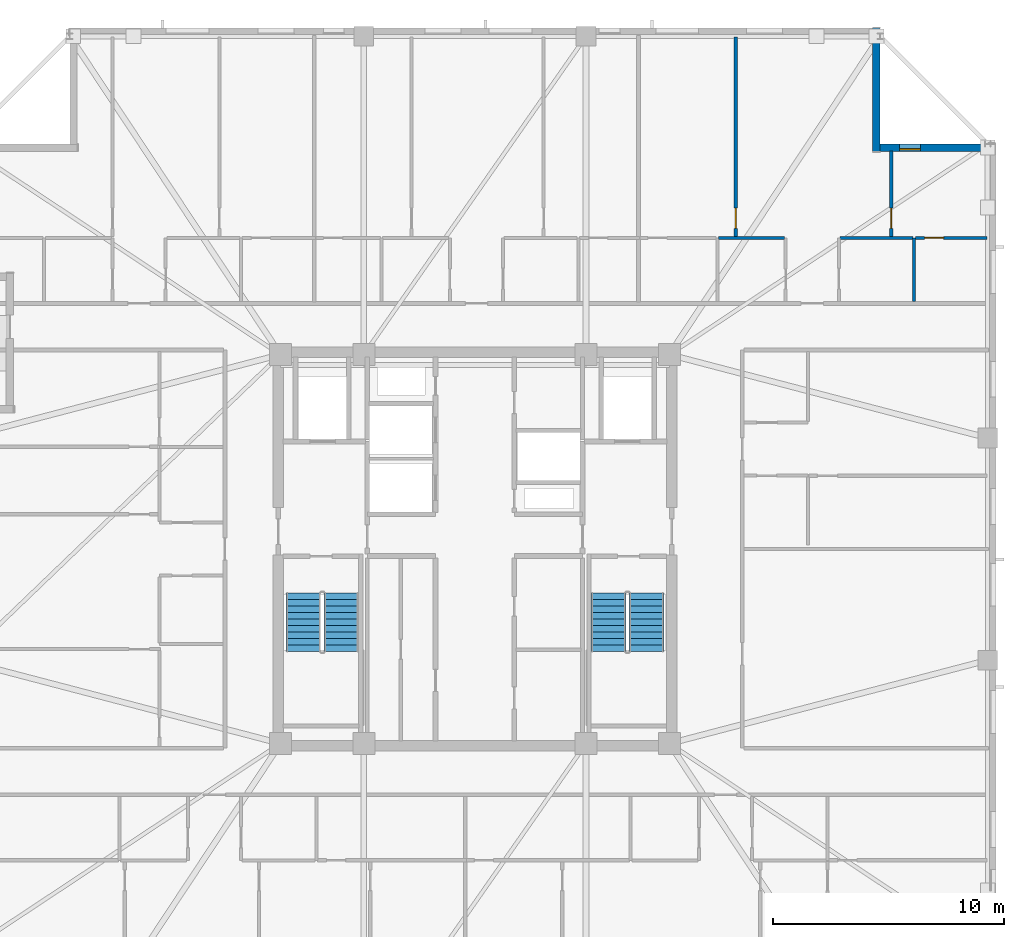
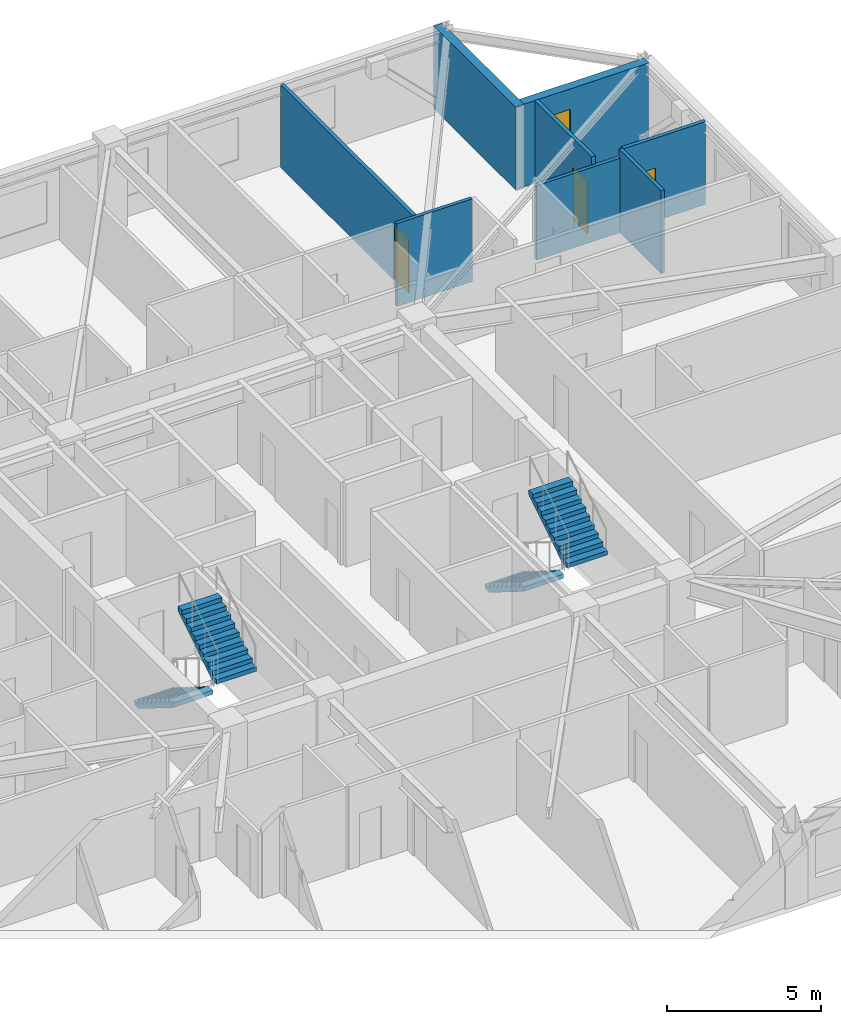
# One storey, part 12 of 17: 8 walls, 4 stair flights, 3 doors, 1 window, 4 openings, 2 elements without a shape of their own.
"""IFC4 building model written with IfcOpenShell, lengths in metres."""

from ifc_helpers import new_model, si_unit, direction, frame, frame_2d, origin, place, context, subcontext, project, spatial, polyline, rectangle, outline, extrude, material, layer, layer_set, type_object, element, fill, aggregate, save


model = new_model("IFC4")

# Units and contexts
model_context = context("Model", 3, precision=1e-05, world=origin(), true_north=direction((0.0, 1.0)))
body_context = subcontext(model_context, "Body", "Model", "MODEL_VIEW")
ifc_project = project(units=[si_unit("LENGTHUNIT", "METRE"), si_unit("AREAUNIT", "SQUARE_METRE"), si_unit("VOLUMEUNIT", "CUBIC_METRE"), si_unit("PLANEANGLEUNIT", "RADIAN"), si_unit("MASSUNIT", "GRAM", prefix="KILO")], contexts=[model_context])

# Site, building, storey
site_placement = place(None, origin())
site = spatial("IfcSite", under=ifc_project, at=site_placement, CompositionType="ELEMENT")
building_placement = place(site_placement, origin())
building = spatial("IfcBuilding", under=site, at=building_placement, Name="Cairnveth Concourse Tower", CompositionType="ELEMENT")
storey_placement = place(building_placement, frame((0.0, 0.0, 230.5)))
storey = spatial("IfcBuildingStorey", under=building, at=storey_placement, Name="L63", CompositionType="ELEMENT", Elevation=230.5)

# Wall, opening, door
ifc_material_1 = material(Name="Gypsum Plasterboard Partition", Category="gypsum")
ifc_layer_1 = layer(ifc_material_1, 0.139892578125)
ifc_layer_set_1 = layer_set([ifc_layer_1], Name="Gypsum Plasterboard Partition")
wall_type_1 = type_object("IfcWallType", Name="GYPSUM STUD PARTITION 140", PredefinedType="PARTITIONING", material=ifc_layer_set_1)
wall_1_placement = place(storey_placement, frame((63.267578125, 52.492431640625, 0.0), z_axis=(0.0, 0.0, 1.0), x_axis=(0.0, 1.0, 0.0)))
wall_1 = element("IfcWall", 1, at=wall_1_placement, inside=storey, type_object=wall_type_1, Name="Interior Wall IW-L63-094", PredefinedType="PARTITIONING", context=body_context, shape_type="SweptSolid", body=[
    extrude(rectangle(XDim=8.627685546875, YDim=0.139892578125, at=frame_2d((4.31396484375, 0.0))), origin(), (0.0, 0.0, 1.0), 3.2900390625),
])
opening_1_placement = place(wall_1_placement, frame((0.360107421875, 0.0, 0.0)))
opening_1 = element("IfcOpeningElement", 2, at=opening_1_placement, cuts=wall_1, Name="Opening ID18", PredefinedType="OPENING", context=body_context, shape_type="SweptSolid", body=[
    extrude(rectangle(XDim=0.8798828125, YDim=2.10009765625, at=frame_2d((0.43994140625, 1.050048828125))), frame((0.0, 0.079833984375, 0.0), z_axis=(0.0, -1.0, 0.0), x_axis=(1.0, 0.0, 0.0)), (0.0, 0.0, 1.0), 0.159912109375),
])
ifc_material_2 = material(Name="Solid Core Hardwood Timber Leaf", Category="wood")
door_type_1 = type_object("IfcDoorType", Name="INTERIOR SINGLE DOOR 880X2100", OperationType="NOTDEFINED", PredefinedType="DOOR", material=ifc_material_2)
door_1_placement = place(opening_1_placement, origin())
door_1 = element("IfcDoor", 3, at=door_1_placement, inside=storey, type_object=door_type_1, Name="L63N3 Master Bedroom Door", OperationType="SINGLE_SWING_LEFT", OverallHeight=2.10009765625, OverallWidth=0.8798828125, PredefinedType="DOOR", context=body_context, shape_type="SweptSolid", body=[
    extrude(rectangle(XDim=0.8798828125, YDim=2.10009765625, at=frame_2d((0.43994140625, 1.050048828125))), frame((0.0, 0.02490234375, 0.0), z_axis=(0.0, -1.0, 0.0), x_axis=(1.0, 0.0, 0.0)), (0.0, 0.0, 1.0), 0.050048828125),
])
fill(opening_1, door_1)

wall_2_placement = place(storey_placement, frame((69.97998046875, 52.492431640625, 0.0), z_axis=(0.0, 0.0, 1.0), x_axis=(0.0, 1.0, 0.0)))
wall_2 = element("IfcWall", 4, at=wall_2_placement, inside=storey, type_object=wall_type_1, Name="Interior Wall IW-L63-096", PredefinedType="PARTITIONING", context=body_context, shape_type="SweptSolid", body=[
    extrude(rectangle(XDim=3.70263671875, YDim=0.139892578125, at=frame_2d((1.851318359375, 0.0))), origin(), (0.0, 0.0, 1.0), 3.2900390625),
])
opening_2_placement = place(wall_2_placement, frame((0.360107421875, 0.0, 0.0)))
opening_2 = element("IfcOpeningElement", 5, at=opening_2_placement, cuts=wall_2, Name="Opening ID18", PredefinedType="OPENING", context=body_context, shape_type="SweptSolid", body=[
    extrude(rectangle(XDim=0.8798828125, YDim=2.10009765625, at=frame_2d((0.43994140625, 1.050048828125))), frame((0.0, 0.079833984375, 0.0), z_axis=(0.0, -1.0, 0.0), x_axis=(1.0, 0.0, 0.0)), (0.0, 0.0, 1.0), 0.159912109375),
])
door_2_placement = place(opening_2_placement, origin())
door_2 = element("IfcDoor", 6, at=door_2_placement, inside=storey, type_object=door_type_1, Name="L63N3 Bedroom 2 Door", OperationType="SINGLE_SWING_LEFT", OverallHeight=2.10009765625, OverallWidth=0.8798828125, PredefinedType="DOOR", context=body_context, shape_type="SweptSolid", body=[
    extrude(rectangle(XDim=0.8798828125, YDim=2.10009765625, at=frame_2d((0.43994140625, 1.050048828125))), frame((0.0, 0.02490234375, 0.0), z_axis=(0.0, -1.0, 0.0), x_axis=(1.0, 0.0, 0.0)), (0.0, 0.0, 1.0), 0.050048828125),
])
fill(opening_2, door_2)

wall_3_placement = place(storey_placement, frame((71.023681640625, 52.4423828125, 0.0), z_axis=(0.0, 0.0, 1.0), x_axis=(1.0, 0.0, 0.0)))
wall_3 = element("IfcWall", 7, at=wall_3_placement, inside=storey, type_object=wall_type_1, Name="Interior Wall IW-L63-097", PredefinedType="PARTITIONING", context=body_context, shape_type="SweptSolid", body=[
    extrude(rectangle(XDim=3.106201171875, YDim=0.139892578125, at=frame_2d((1.55322265625, 0.0))), origin(), (0.0, 0.0, 1.0), 3.2900390625),
])
opening_3_placement = place(wall_3_placement, frame((0.39990234375, 0.0, 0.0)))
opening_3 = element("IfcOpeningElement", 8, at=opening_3_placement, cuts=wall_3, Name="Opening ID22", PredefinedType="OPENING", context=body_context, shape_type="SweptSolid", body=[
    extrude(rectangle(XDim=0.820068359375, YDim=2.10009765625, at=frame_2d((0.41015625, 1.050048828125))), frame((0.0, 0.079833984375, 0.0), z_axis=(0.0, -1.0, 0.0), x_axis=(1.0, 0.0, 0.0)), (0.0, 0.0, 1.0), 0.159912109375),
])
door_type_2 = type_object("IfcDoorType", Name="INTERIOR WC DOOR 820X2100", OperationType="NOTDEFINED", PredefinedType="DOOR", material=ifc_material_2)
door_3_placement = place(opening_3_placement, origin())
door_3 = element("IfcDoor", 9, at=door_3_placement, inside=storey, type_object=door_type_2, Name="L63N3 Utility Door", OperationType="SINGLE_SWING_RIGHT", OverallHeight=2.10009765625, OverallWidth=0.820068359375, PredefinedType="DOOR", context=body_context, shape_type="SweptSolid", body=[
    extrude(rectangle(XDim=0.820068359375, YDim=2.10009765625, at=frame_2d((0.41015625, 1.050048828125))), frame((0.0, 0.02490234375, 0.0), z_axis=(0.0, -1.0, 0.0), x_axis=(1.0, 0.0, 0.0)), (0.0, 0.0, 1.0), 0.050048828125),
])
fill(opening_3, door_3)

# Walls
ifc_layer_2 = layer(ifc_material_1, 0.1298828125)
ifc_layer_set_2 = layer_set([ifc_layer_2], Name="Gypsum Plasterboard Partition")
wall_type_2 = type_object("IfcWallType", Name="WET AREA PARTITION 140", PredefinedType="PLUMBINGWALL", material=ifc_layer_set_2)
wall_4_placement = place(storey_placement, frame((62.523681640625, 52.4423828125, 0.0), z_axis=(0.0, 0.0, 1.0), x_axis=(1.0, 0.0, 0.0)))
element("IfcWall", 10, at=wall_4_placement, inside=storey, type_object=wall_type_2, Name="Interior Wall IW-L63-090", PredefinedType="PLUMBINGWALL", context=body_context, shape_type="SweptSolid", body=[
    extrude(rectangle(XDim=2.85009765625, YDim=0.1298828125, at=frame_2d((1.425048828125, 0.0))), origin(), (0.0, 0.0, 1.0), 3.2900390625),
])
wall_5_placement = place(storey_placement, frame((70.973876953125, 49.6923828125, 0.0), z_axis=(0.0, 0.0, 1.0), x_axis=(0.0, 1.0, 0.0)))
element("IfcWall", 11, at=wall_5_placement, inside=storey, type_object=wall_type_2, Name="Interior Wall IW-L63-091", PredefinedType="PLUMBINGWALL", context=body_context, shape_type="SweptSolid", body=[
    extrude(rectangle(XDim=2.75, YDim=0.1298828125, at=frame_2d((1.375, 0.0))), origin(), (0.0, 0.0, 1.0), 3.2900390625),
])
wall_6_placement = place(storey_placement, frame((67.773681640625, 52.4423828125, 0.0), z_axis=(0.0, 0.0, 1.0), x_axis=(1.0, 0.0, 0.0)))
element("IfcWall", 12, at=wall_6_placement, inside=storey, type_object=wall_type_2, Name="Interior Wall IW-L63-093", PredefinedType="PLUMBINGWALL", context=body_context, shape_type="SweptSolid", body=[
    extrude(rectangle(XDim=3.150146484375, YDim=0.1298828125, at=frame_2d((1.5751953125, 0.0))), origin(), (0.0, 0.0, 1.0), 2.9580078125),
])
ifc_material_3 = material(Name="Melbourne Buff Fired Clay Brick Masonry", Category="masonry")
ifc_layer_3 = layer(ifc_material_3, 0.320068359375)
ifc_layer_set_3 = layer_set([ifc_layer_3], Name="Melbourne Buff Fired Clay Brick Masonry")
wall_type_3 = type_object("IfcWallType", Name="ZONE 3 BRICK PIER SPANDREL WALL 320", PredefinedType="SOLIDWALL", material=ifc_layer_set_3)
wall_7_placement = place(storey_placement, frame((69.340087890625, 61.5, 0.0), z_axis=(0.0, 0.0, 1.0), x_axis=(0.0, -1.0, 0.0)))
element("IfcWall", 13, at=wall_7_placement, inside=storey, type_object=wall_type_3, Name="Exterior Wall EW-L63-S04", PredefinedType="SOLIDWALL", context=body_context, shape_type="SweptSolid", body=[
    extrude(rectangle(XDim=5.320068359375, YDim=0.320068359375, at=frame_2d((2.66015625, 0.0))), origin(), (0.0, 0.0, 1.0), 3.2900390625),
])

# Wall, opening, window
wall_8_placement = place(storey_placement, frame((69.47802734375, 56.340087890625, 0.0), z_axis=(0.0, 0.0, 1.0), x_axis=(1.0, 0.0, 0.0)))
wall_8 = element("IfcWall", 14, at=wall_8_placement, inside=storey, type_object=wall_type_3, Name="Exterior Wall EW-L63-S05", PredefinedType="SOLIDWALL", context=body_context, shape_type="SweptSolid", body=[
    extrude(rectangle(XDim=4.723876953125, YDim=0.320068359375, at=frame_2d((2.36181640625, 0.0))), origin(), (0.0, 0.0, 1.0), 3.2900390625),
])
opening_4_placement = place(wall_8_placement, frame((0.8701171875, 0.0, 0.800048828125)))
opening_4 = element("IfcOpeningElement", 15, at=opening_4_placement, cuts=wall_8, Name="Opening W13", PredefinedType="OPENING", context=body_context, shape_type="SweptSolid", body=[
    extrude(rectangle(XDim=0.89990234375, YDim=1.677978515625, at=frame_2d((0.449951171875, 0.8388671875))), frame((0.0, 0.169921875, 0.0), z_axis=(0.0, -1.0, 0.0), x_axis=(1.0, 0.0, 0.0)), (0.0, 0.0, 1.0), 0.340087890625),
])
ifc_material_4 = material(Name="Double Glazed Low-E Clear Glass", Category="glass")
window_type = type_object("IfcWindowType", Name="DEEP-SET BEDROOM LANCET WINDOW 900X1750", PartitioningType="DOUBLE_PANEL_VERTICAL", PredefinedType="WINDOW", material=ifc_material_4)
window_placement = place(opening_4_placement, origin())
window = element("IfcWindow", 16, at=window_placement, inside=storey, type_object=window_type, Name="Dwelling Lancet Window L63-DW6", OverallHeight=1.677978515625, OverallWidth=0.89990234375, PartitioningType="SINGLE_PANEL", PredefinedType="WINDOW", context=body_context, shape_type="SweptSolid", body=[
    extrude(rectangle(XDim=0.89990234375, YDim=1.677978515625, at=frame_2d((0.449951171875, 0.8388671875))), frame((0.0, -0.0400390625, 0.0), z_axis=(0.0, -1.0, 0.0), x_axis=(1.0, 0.0, 0.0)), (0.0, 0.0, 1.0), 0.06005859375),
])
fill(opening_4, window)

# Stair, stair flights
ifc_material_5 = material(Name="Precast concrete N50 (50 MPa)", Category="concrete")
stair_type = type_object("IfcStairType", Name="CORE DOG-LEG FIRE STAIR 1500", PredefinedType="HALF_TURN_STAIR", material=ifc_material_5)
stair_1_placement = place(storey_placement, origin())
stair_1 = element("IfcStair", 17, at=stair_1_placement, inside=storey, type_object=stair_type, Name="L63 Fire-Isolated Stair ST-1", PredefinedType="HALF_TURN_STAIR")
stair_flight_type = type_object("IfcStairFlightType", Name="PRECAST CONCRETE STAIR FLIGHT 1500", PredefinedType="STRAIGHT", material=ifc_material_5)
stair_flight_1_placement = place(storey_placement, frame((44.590087890625, 37.10009765625, 0.0), z_axis=(0.0, 0.0, 1.0), x_axis=(0.0, -1.0, 0.0)))
stair_flight_1 = element("IfcStairFlight", 18, at=stair_flight_1_placement, type_object=stair_flight_type, Name="ST-1 flight 1", NumberOfRisers=10, NumberOfTreads=9, PredefinedType="STRAIGHT", RiserHeight=0.175, TreadLength=0.28, context=body_context, shape_type="SweptSolid", body=[
    extrude(outline(polyline([(0.0, 0.0), (0.0, 0.175048828125), (0.280029296875, 0.175048828125), (0.280029296875, 0.35009765625), (0.56005859375, 0.35009765625), (0.56005859375, 0.52490234375), (0.840087890625, 0.52490234375), (0.840087890625, 0.699951171875), (1.1201171875, 0.699951171875), (1.1201171875, 0.875), (1.39990234375, 0.875), (1.39990234375, 1.050048828125), (1.679931640625, 1.050048828125), (1.679931640625, 1.22509765625), (1.9599609375, 1.22509765625), (1.9599609375, 1.39990234375), (2.239990234375, 1.39990234375), (2.239990234375, 1.574951171875), (2.52001953125, 1.574951171875), (2.52001953125, 1.75), (2.52001953125, 1.398193359375), (0.28271484375, 0.0), (0.0, 0.0)])), frame((0.0, 0.75, 0.0), z_axis=(0.0, -1.0, 0.0), x_axis=(1.0, 0.0, 0.0)), (0.0, 0.0, 1.0), 1.5),
])
stair_flight_2_placement = place(storey_placement, frame((46.22998046875, 34.580078125, 1.75), z_axis=(0.0, 0.0, 1.0), x_axis=(0.0, 1.0, 0.0)))
stair_flight_2 = element("IfcStairFlight", 19, at=stair_flight_2_placement, type_object=stair_flight_type, Name="ST-1 flight 2", NumberOfRisers=10, NumberOfTreads=9, PredefinedType="STRAIGHT", RiserHeight=0.175, TreadLength=0.28, context=body_context, shape_type="SweptSolid", body=[
    extrude(outline(polyline([(0.0, 0.0), (0.0, 0.175048828125), (0.280029296875, 0.175048828125), (0.280029296875, 0.35009765625), (0.56005859375, 0.35009765625), (0.56005859375, 0.52490234375), (0.840087890625, 0.52490234375), (0.840087890625, 0.699951171875), (1.1201171875, 0.699951171875), (1.1201171875, 0.875), (1.39990234375, 0.875), (1.39990234375, 1.050048828125), (1.679931640625, 1.050048828125), (1.679931640625, 1.22509765625), (1.9599609375, 1.22509765625), (1.9599609375, 1.39990234375), (2.239990234375, 1.39990234375), (2.239990234375, 1.574951171875), (2.52001953125, 1.574951171875), (2.52001953125, 1.75), (2.52001953125, 1.398193359375), (0.28271484375, 0.0), (0.0, 0.0)])), frame((0.0, 0.75, 0.0), z_axis=(0.0, -1.0, 0.0), x_axis=(1.0, 0.0, 0.0)), (0.0, 0.0, 1.0), 1.5),
])
aggregate(stair_1, [stair_flight_1, stair_flight_2])

stair_2_placement = place(storey_placement, origin())
stair_2 = element("IfcStair", 20, at=stair_2_placement, inside=storey, type_object=stair_type, Name="L63 Fire-Isolated Stair ST-2", PredefinedType="HALF_TURN_STAIR")
stair_flight_3_placement = place(storey_placement, frame((57.77001953125, 37.10009765625, 0.0), z_axis=(0.0, 0.0, 1.0), x_axis=(0.0, -1.0, 0.0)))
stair_flight_3 = element("IfcStairFlight", 21, at=stair_flight_3_placement, type_object=stair_flight_type, Name="ST-2 flight 1", NumberOfRisers=10, NumberOfTreads=9, PredefinedType="STRAIGHT", RiserHeight=0.175, TreadLength=0.28, context=body_context, shape_type="SweptSolid", body=[
    extrude(outline(polyline([(0.0, 0.0), (0.0, 0.175048828125), (0.280029296875, 0.175048828125), (0.280029296875, 0.35009765625), (0.56005859375, 0.35009765625), (0.56005859375, 0.52490234375), (0.840087890625, 0.52490234375), (0.840087890625, 0.699951171875), (1.1201171875, 0.699951171875), (1.1201171875, 0.875), (1.39990234375, 0.875), (1.39990234375, 1.050048828125), (1.679931640625, 1.050048828125), (1.679931640625, 1.22509765625), (1.9599609375, 1.22509765625), (1.9599609375, 1.39990234375), (2.239990234375, 1.39990234375), (2.239990234375, 1.574951171875), (2.52001953125, 1.574951171875), (2.52001953125, 1.75), (2.52001953125, 1.398193359375), (0.28271484375, 0.0), (0.0, 0.0)])), frame((0.0, 0.75, 0.0), z_axis=(0.0, -1.0, 0.0), x_axis=(1.0, 0.0, 0.0)), (0.0, 0.0, 1.0), 1.5),
])
stair_flight_4_placement = place(storey_placement, frame((59.409912109375, 34.580078125, 1.75), z_axis=(0.0, 0.0, 1.0), x_axis=(0.0, 1.0, 0.0)))
stair_flight_4 = element("IfcStairFlight", 22, at=stair_flight_4_placement, type_object=stair_flight_type, Name="ST-2 flight 2", NumberOfRisers=10, NumberOfTreads=9, PredefinedType="STRAIGHT", RiserHeight=0.175, TreadLength=0.28, context=body_context, shape_type="SweptSolid", body=[
    extrude(outline(polyline([(0.0, 0.0), (0.0, 0.175048828125), (0.280029296875, 0.175048828125), (0.280029296875, 0.35009765625), (0.56005859375, 0.35009765625), (0.56005859375, 0.52490234375), (0.840087890625, 0.52490234375), (0.840087890625, 0.699951171875), (1.1201171875, 0.699951171875), (1.1201171875, 0.875), (1.39990234375, 0.875), (1.39990234375, 1.050048828125), (1.679931640625, 1.050048828125), (1.679931640625, 1.22509765625), (1.9599609375, 1.22509765625), (1.9599609375, 1.39990234375), (2.239990234375, 1.39990234375), (2.239990234375, 1.574951171875), (2.52001953125, 1.574951171875), (2.52001953125, 1.75), (2.52001953125, 1.398193359375), (0.28271484375, 0.0), (0.0, 0.0)])), frame((0.0, 0.75, 0.0), z_axis=(0.0, -1.0, 0.0), x_axis=(1.0, 0.0, 0.0)), (0.0, 0.0, 1.0), 1.5),
])
aggregate(stair_2, [stair_flight_3, stair_flight_4])

save(model, "model.ifc")
